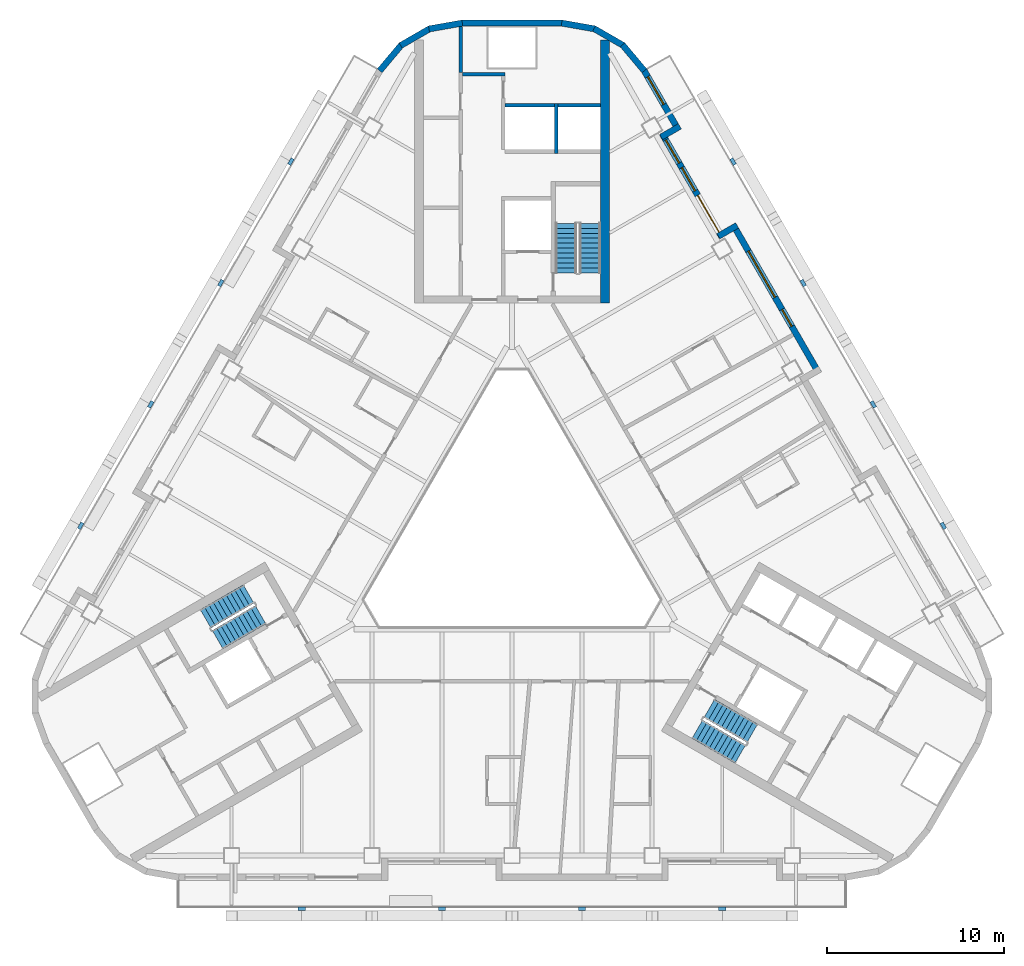
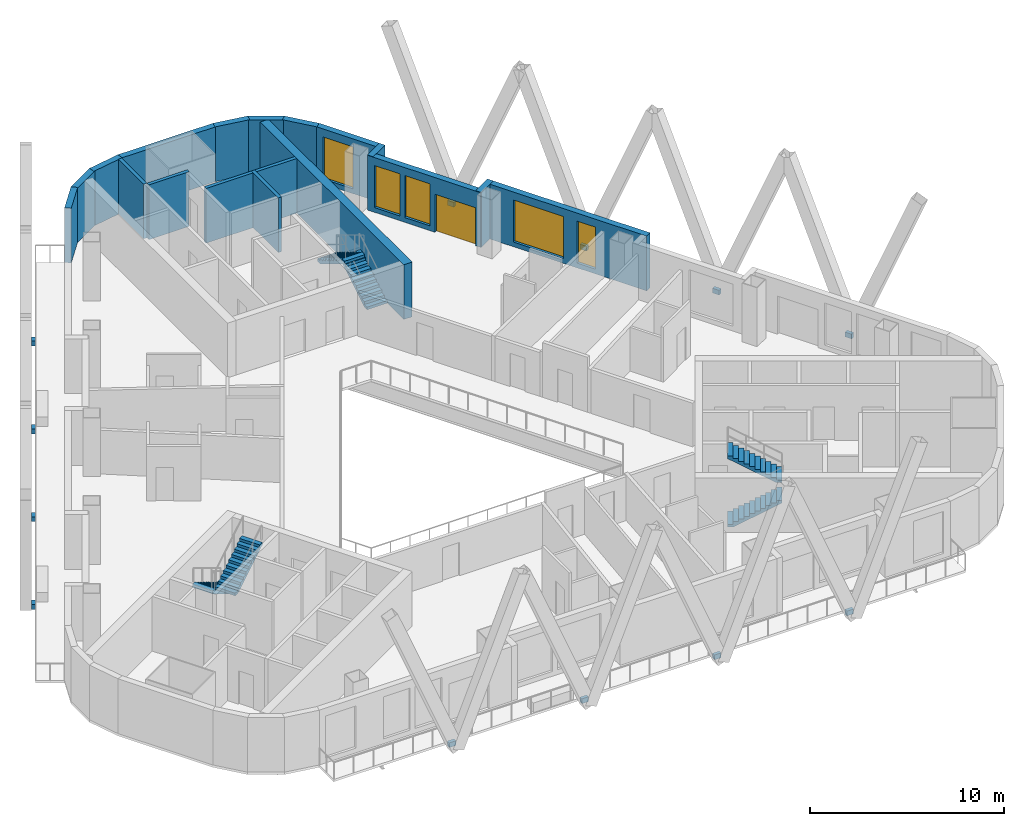
# One storey, part 7 of 13: 18 walls, 12 discrete accessories, 6 stair flights, 5 windows, 1 door, 6 openings, 3 elements without a shape of their own.
"""IFC4 building model written with IfcOpenShell, lengths in metres."""

import ifcopenshell
import ifcopenshell.guid

model = None  # the IFC model being written
_history = None  # IfcOwnerHistory: only IFC2X3 demands one
_inside = {}  # id of a spatial element -> (the spatial element, [elements in it])
_under = {}  # id of a project, library or spatial element -> (it, [spatial elements below it])
_declared = {}  # id of a project -> (the project, [libraries it declares])
_typed = {}  # id of a type object -> (the type object, [elements of that type])
_made_of = {}  # id of a material, layer set ... -> (it, [elements and type objects made of it])


def new_model(schema):
    """Start an empty IFC model of exactly this schema.

    Asked for "IFC4X3", IfcOpenShell would pick the latest addendum, in which some entities
    have other attributes; the version numbers below select the first issue.
    IFC2X3 requires an IfcOwnerHistory on every rooted entity: one is made here for all.
    """
    global model, _history
    if schema == "IFC4X3":
        model = ifcopenshell.file(schema_version=(4, 3, 0, 0))
    else:
        model = ifcopenshell.file(schema=schema)
    _inside.clear()
    _under.clear()
    _declared.clear()
    _typed.clear()
    _made_of.clear()
    _history = None
    if model.schema == "IFC2X3":
        org = make("IfcOrganization", Name="unknown")
        user = make(
            "IfcPersonAndOrganization",
            ThePerson=make("IfcPerson", FamilyName="unknown"),
            TheOrganization=org,
        )
        app = make(
            "IfcApplication",
            ApplicationDeveloper=org,
            Version="unknown",
            ApplicationFullName="unknown",
            ApplicationIdentifier="unknown",
        )
        _history = make(
            "IfcOwnerHistory",
            OwningUser=user,
            OwningApplication=app,
            ChangeAction="ADDED",
            CreationDate=0,
        )
    return model


def make(cls, **values):
    """One entity of the class cls with the attributes given. An attribute that is None is left unset."""
    return model.create_entity(
        cls, **{name: value for name, value in values.items() if value is not None}
    )


def rooted(cls, **values):
    """An entity with a GlobalId (a new one), such as an element, a storey or a relation."""
    return make(cls, GlobalId=ifcopenshell.guid.new(), OwnerHistory=_history, **values)


def si_unit(unit_type, name, prefix=None):
    """IfcSIUnit, for example si_unit("LENGTHUNIT", "METRE", prefix="MILLI")."""
    return make("IfcSIUnit", UnitType=unit_type, Prefix=prefix, Name=name)


def assignment(units):
    """IfcUnitAssignment: the units of a project."""
    return None if units is None else make("IfcUnitAssignment", Units=units)


def point(xyz):
    """IfcCartesianPoint."""
    return None if xyz is None else make("IfcCartesianPoint", Coordinates=xyz)


def direction(xyz):
    """IfcDirection."""
    return None if xyz is None else make("IfcDirection", DirectionRatios=xyz)


def frame(location, z_axis=None, x_axis=None):
    """IfcAxis2Placement3D, a coordinate frame: its origin and axes. An axis left out is left unset."""
    return make(
        "IfcAxis2Placement3D",
        Location=point(location),
        Axis=direction(z_axis),
        RefDirection=direction(x_axis),
    )


def frame_2d(location, x_axis=None):
    """IfcAxis2Placement2D, a coordinate frame in the plane: its origin and x axis."""
    return make(
        "IfcAxis2Placement2D", Location=point(location), RefDirection=direction(x_axis)
    )


def origin():
    """The frame at (0, 0, 0) with its axes left unset."""
    return frame((0.0, 0.0, 0.0))


def origin_2d():
    """The frame at (0, 0) in the plane with its x axis left unset."""
    return frame_2d((0.0, 0.0))


def place(relative_to, where):
    """IfcLocalPlacement: puts the frame where relative to a parent placement (None: the world)."""
    return make(
        "IfcLocalPlacement", PlacementRelTo=relative_to, RelativePlacement=where
    )


def context(
    kind, dimensions, precision=None, world=None, true_north=None, identifier=None
):
    """IfcGeometricRepresentationContext, for example the 3D "Model" context."""
    return make(
        "IfcGeometricRepresentationContext",
        ContextIdentifier=identifier,
        ContextType=kind,
        CoordinateSpaceDimension=dimensions,
        Precision=precision,
        WorldCoordinateSystem=world,
        TrueNorth=true_north,
    )


def subcontext(parent, identifier, kind, view, scale=None):
    """IfcGeometricRepresentationSubContext, for example "Body" below "Model"."""
    return make(
        "IfcGeometricRepresentationSubContext",
        ContextIdentifier=identifier,
        ContextType=kind,
        ParentContext=parent,
        TargetScale=scale,
        TargetView=view,
    )


def project(units=None, contexts=None):
    """IfcProject with its units and contexts."""
    return rooted(
        "IfcProject",
        Name="project",
        RepresentationContexts=contexts,
        UnitsInContext=assignment(units),
    )


def spatial(cls, under=None, at=None, **own):
    """A site, building, storey or space (cls), placed at a placement, below another one or the project."""
    s = rooted(cls, ObjectPlacement=at, **own)
    if under is not None:
        _under.setdefault(under.id(), (under, []))[1].append(s)
    return s


def polyline(points):
    """IfcPolyline through the points."""
    return make("IfcPolyline", Points=[point(p) for p in points])


def profile(cls, at=None, kind="AREA", **sizes):
    """A parametric profile (cls). Its sizes go by their IFC names, for example OverallWidth=200.0."""
    return make(cls, ProfileType=kind, Position=at, **sizes)


def rectangle(**sizes):
    """IfcRectangleProfileDef."""
    return profile("IfcRectangleProfileDef", **sizes)


def outline(outer, holes=None, kind="AREA"):
    """IfcArbitraryClosedProfileDef: a profile drawn as a closed curve; with holes, ...WithVoids."""
    if holes is None:
        return make("IfcArbitraryClosedProfileDef", ProfileType=kind, OuterCurve=outer)
    return make(
        "IfcArbitraryProfileDefWithVoids",
        ProfileType=kind,
        OuterCurve=outer,
        InnerCurves=holes,
    )


def extrude(swept, where, along, depth):
    """IfcExtrudedAreaSolid: the profile swept, set in the frame where, extruded along a direction by depth."""
    return make(
        "IfcExtrudedAreaSolid",
        SweptArea=swept,
        Position=where,
        ExtrudedDirection=direction(along),
        Depth=depth,
    )


def shape(context_of_items, identifier, shape_type, items):
    """IfcShapeRepresentation: the items that make up one representation, for example the "Body"."""
    return make(
        "IfcShapeRepresentation",
        ContextOfItems=context_of_items,
        RepresentationIdentifier=identifier,
        RepresentationType=shape_type,
        Items=items,
    )


def material(Name=None, Category=None):
    """IfcMaterial."""
    return make("IfcMaterial", Name=Name, Category=Category)


def layer(
    of_material, thickness, ventilated=None, Name=None, Category=None, Priority=None
):
    """IfcMaterialLayer: one layer of a wall or slab, of a material (None: an air gap)."""
    return make(
        "IfcMaterialLayer",
        Material=of_material,
        LayerThickness=thickness,
        IsVentilated=ventilated,
        Name=Name,
        Category=Category,
        Priority=Priority,
    )


def layer_set(layers, Name=None):
    """IfcMaterialLayerSet."""
    return make("IfcMaterialLayerSet", MaterialLayers=layers, LayerSetName=Name)


def made_of(thing, what):
    """Note that an element or type object is made of a material, layer set ...; save() writes the relation."""
    if what is not None:
        _made_of.setdefault(what.id(), (what, []))[1].append(thing)
    return thing


def type_object(cls, material=None, **own):
    """A type object (cls), such as IfcWallType, which elements share."""
    return made_of(rooted(cls, **own), material)


def element(
    cls,
    number,
    at=None,
    inside=None,
    cuts=None,
    type_object=None,
    material=None,
    context=None,
    identifier="Body",
    shape_type=None,
    held_by="IfcProductDefinitionShape",
    body=None,
    shapes=None,
    **own,
):
    """One element of the class cls, such as IfcWall. Its Tag is "e" and its number.

    at: its placement. inside: the storey or other place that contains it. cuts: it is an
    opening in that element (IfcRelVoidsElement). A single representation is given by context,
    identifier, shape_type and body (its items); several are given by shapes. held_by: the class
    of the entity that holds the representations. save() writes the other relations.
    """
    e = rooted(cls, Tag="e%d" % number, ObjectPlacement=at, **own)
    if body is not None:
        shapes = [shape(context, identifier, shape_type, body)]
    if shapes is not None:
        e.Representation = make(held_by, Representations=shapes)
    if inside is not None:
        _inside.setdefault(inside.id(), (inside, []))[1].append(e)
    if cuts is not None:
        rooted(
            "IfcRelVoidsElement", RelatingBuildingElement=cuts, RelatedOpeningElement=e
        )
    if type_object is not None:
        _typed.setdefault(type_object.id(), (type_object, []))[1].append(e)
    return made_of(e, material)


def fill(opening, filler):
    """IfcRelFillsElement: the door or window that sits in an opening."""
    return rooted(
        "IfcRelFillsElement",
        RelatingOpeningElement=opening,
        RelatedBuildingElement=filler,
    )


def aggregate(whole, parts):
    """IfcRelAggregates: a whole, such as a stair, and the parts it consists of."""
    return rooted("IfcRelAggregates", RelatingObject=whole, RelatedObjects=parts)


def save(model, path):
    """Write the relations noted so far, then the file.

    IfcRelAggregates (storeys below a building ...), IfcRelContainedInSpatialStructure (elements
    in a storey), IfcRelDefinesByType, IfcRelAssociatesMaterial and IfcRelDeclares: one each for
    every whole, place, type object, material and project.
    """
    for whole, parts in _under.values():
        aggregate(whole, parts)
    for where, things in _inside.values():
        rooted(
            "IfcRelContainedInSpatialStructure",
            RelatedElements=things,
            RelatingStructure=where,
        )
    for kind, things in _typed.values():
        rooted("IfcRelDefinesByType", RelatedObjects=things, RelatingType=kind)
    for what, things in _made_of.values():
        rooted("IfcRelAssociatesMaterial", RelatedObjects=things, RelatingMaterial=what)
    for by, libraries in _declared.values():
        rooted("IfcRelDeclares", RelatingContext=by, RelatedDefinitions=libraries)
    model.write(path)


model = new_model("IFC4")

# Units and contexts
model_context = context("Model", 3, precision=1e-05, world=origin(), true_north=direction((0.0, 1.0)))
body_context = subcontext(model_context, "Body", "Model", "MODEL_VIEW")
ifc_project = project(units=[si_unit("LENGTHUNIT", "METRE"), si_unit("AREAUNIT", "SQUARE_METRE"), si_unit("VOLUMEUNIT", "CUBIC_METRE"), si_unit("PLANEANGLEUNIT", "RADIAN"), si_unit("MASSUNIT", "GRAM", prefix="KILO")], contexts=[model_context])

# Site, building, storey
site_placement = place(None, origin())
site = spatial("IfcSite", under=ifc_project, at=site_placement, CompositionType="ELEMENT")
building_placement = place(site_placement, origin())
building = spatial("IfcBuilding", under=site, at=building_placement, Name="Apuvela Tower Hotel", CompositionType="ELEMENT")
storey_placement = place(building_placement, frame((0.0, 0.0, 127.89990234375)))
storey = spatial("IfcBuildingStorey", under=building, at=storey_placement, Name="L30", CompositionType="ELEMENT", Elevation=127.89990234375)

# Walls
ifc_material_1 = material(Name="Concrete C50/60", Category="concrete")
ifc_layer_1 = layer(ifc_material_1, 0.5)
ifc_layer_set_1 = layer_set([ifc_layer_1], Name="COR-WALL-CORE-500")
wall_type_1 = type_object("IfcWallType", Name="COR-WALL-CORE-500", PredefinedType="SHEAR", material=ifc_layer_set_1)
wall_1_placement = place(storey_placement, frame((5.25, 12.89990234375, 0.0), z_axis=(0.0, 0.0, 1.0), x_axis=(0.0, 1.0, 0.0)))
element("IfcWall", 1, at=wall_1_placement, inside=storey, type_object=wall_type_1, Name="Core wall N", PredefinedType="SHEAR", context=body_context, shape_type="SweptSolid", body=[
    extrude(rectangle(XDim=14.8369140625, YDim=0.5, at=frame_2d((7.41845703125, 0.0))), origin(), (0.0, 0.0, 1.0), 3.4501953125),
])
ifc_layer_2 = layer(ifc_material_1, 0.199951171875)
ifc_layer_set_2 = layer_set([ifc_layer_2], Name="COR-WALL-SHAFT-200")
wall_type_2 = type_object("IfcWallType", Name="COR-WALL-SHAFT-200", PredefinedType="SHEAR", material=ifc_layer_set_2)
wall_2_placement = place(storey_placement, frame((-0.39990234375, 25.800048828125, 0.0), z_axis=(0.0, 0.0, 1.0), x_axis=(-1.0, 0.0, 0.0)))
element("IfcWall", 2, at=wall_2_placement, inside=storey, type_object=wall_type_2, Name="Shaft wall N", PredefinedType="SHEAR", context=body_context, shape_type="SweptSolid", body=[
    extrude(rectangle(XDim=2.400146484375, YDim=0.199951171875, at=frame_2d((1.2001953125, 0.0))), origin(), (0.0, 0.0, 1.0), 3.4501953125),
])
wall_3_placement = place(storey_placement, frame((-2.89990234375, 25.89990234375, 0.0), z_axis=(0.0, 0.0, 1.0), x_axis=(0.0, 1.0, 0.0)))
element("IfcWall", 3, at=wall_3_placement, inside=storey, type_object=wall_type_2, Name="Shaft wall N", PredefinedType="SHEAR", context=body_context, shape_type="SweptSolid", body=[
    extrude(rectangle(XDim=2.60009765625, YDim=0.199951171875, at=frame_2d((1.300048828125, 0.0))), origin(), (0.0, 0.0, 1.0), 3.4501953125),
])
wall_4_placement = place(storey_placement, frame((2.5, 21.35009765625, 0.0), z_axis=(0.0, 0.0, 1.0), x_axis=(0.0, 1.0, 0.0)))
element("IfcWall", 4, at=wall_4_placement, inside=storey, type_object=wall_type_2, Name="Shaft wall N", PredefinedType="SHEAR", context=body_context, shape_type="SweptSolid", body=[
    extrude(rectangle(XDim=2.7998046875, YDim=0.199951171875, at=frame_2d((1.39990234375, 0.0))), origin(), (0.0, 0.0, 1.0), 3.4501953125),
])
wall_5_placement = place(storey_placement, frame((5.0, 24.050048828125, 0.0), z_axis=(0.0, 0.0, 1.0), x_axis=(-1.0, 0.0, 0.0)))
element("IfcWall", 5, at=wall_5_placement, inside=storey, type_object=wall_type_2, Name="Shaft wall N", PredefinedType="SHEAR", context=body_context, shape_type="SweptSolid", body=[
    extrude(rectangle(XDim=2.39990234375, YDim=0.199951171875, at=frame_2d((1.199951171875, 0.0))), origin(), (0.0, 0.0, 1.0), 3.4501953125),
])
wall_6_placement = place(storey_placement, frame((2.39990234375, 24.050048828125, 0.0), z_axis=(0.0, 0.0, 1.0), x_axis=(-1.0, 0.0, 0.0)))
element("IfcWall", 6, at=wall_6_placement, inside=storey, type_object=wall_type_2, Name="Shaft wall N", PredefinedType="SHEAR", context=body_context, shape_type="SweptSolid", body=[
    extrude(rectangle(XDim=2.7998046875, YDim=0.199951171875, at=frame_2d((1.39990234375, 0.0))), origin(), (0.0, 0.0, 1.0), 3.4501953125),
])

# Wall, openings, windows
ifc_material_2 = material(Name="Concrete C40/50, dark pigmented precast panel", Category="concrete")
ifc_layer_3 = layer(ifc_material_2, 0.35009765625)
ifc_layer_set_3 = layer_set([ifc_layer_3], Name="ENV-WALL-350")
wall_type_3 = type_object("IfcWallType", Name="ENV-WALL-350", PredefinedType="SOLIDWALL", material=ifc_layer_set_3)
wall_7_placement = place(storey_placement, frame((17.298583984375, 8.947998046875, 0.0), z_axis=(0.0, 0.0, 1.0), x_axis=(-0.500010041276, 0.866019606374, 0.0)))
wall_7 = element("IfcWall", 7, at=wall_7_placement, inside=storey, type_object=wall_type_3, Name="External wall L30-37", PredefinedType="SOLIDWALL", context=body_context, shape_type="SweptSolid", body=[
    extrude(rectangle(XDim=9.699951171875, YDim=0.35009765625, at=frame_2d((4.85009765625, 0.0))), origin(), (0.0, 0.0, 1.0), 3.4501953125),
])
opening_1_placement = place(wall_7_placement, frame((3.0595703125, 0.0, 0.300048828125)))
opening_1 = element("IfcOpeningElement", 8, at=opening_1_placement, cuts=wall_7, Name="Opening WN11", PredefinedType="OPENING", context=body_context, shape_type="SweptSolid", body=[
    extrude(rectangle(XDim=1.10009765625, YDim=2.64990234375, at=frame_2d((0.550048828125, 1.324951171875))), frame((0.0, 0.18505859375, 0.0), z_axis=(0.0, -1.0, 0.0), x_axis=(1.0, 0.0, 0.0)), (0.0, 0.0, 1.0), 0.3701171875),
])
opening_2_placement = place(wall_7_placement, frame((4.94921875, 0.0, 0.300048828125)))
opening_2 = element("IfcOpeningElement", 9, at=opening_2_placement, cuts=wall_7, Name="Opening WN30", PredefinedType="OPENING", context=body_context, shape_type="SweptSolid", body=[
    extrude(rectangle(XDim=3.0, YDim=2.64990234375, at=frame_2d((1.5, 1.324951171875))), frame((0.0, 0.18505859375, 0.0), z_axis=(0.0, -1.0, 0.0), x_axis=(1.0, 0.0, 0.0)), (0.0, 0.0, 1.0), 0.3701171875),
])
ifc_material_3 = material(Name="Glass, dark tinted laminated insulated glazing unit", Category="glass")
window_type_1 = type_object("IfcWindowType", Name="ENV-WIN-1100x2650", PartitioningType="SINGLE_PANEL", PredefinedType="WINDOW", material=ifc_material_3)
window_1_placement = place(opening_1_placement, origin())
window_1 = element("IfcWindow", 10, at=window_1_placement, inside=storey, type_object=window_type_1, Name="Window WN11", OverallHeight=2.64990234375, OverallWidth=1.10009765625, PartitioningType="SINGLE_PANEL", PredefinedType="WINDOW", context=body_context, shape_type="SweptSolid", body=[
    extrude(rectangle(XDim=1.10009765625, YDim=2.64990234375, at=frame_2d((0.550048828125, 1.324951171875))), frame((0.0, 0.030029296875, 0.0), z_axis=(0.0, -1.0, 0.0), x_axis=(1.0, 0.0, 0.0)), (0.0, 0.0, 1.0), 0.06005859375),
])
fill(opening_1, window_1)
window_type_2 = type_object("IfcWindowType", Name="ENV-WIN-3000x2650", PartitioningType="SINGLE_PANEL", PredefinedType="WINDOW", material=ifc_material_3)
window_2_placement = place(opening_2_placement, origin())
window_2 = element("IfcWindow", 11, at=window_2_placement, inside=storey, type_object=window_type_2, Name="Window WN30", OverallHeight=2.64990234375, OverallWidth=3.0, PartitioningType="SINGLE_PANEL", PredefinedType="WINDOW", context=body_context, shape_type="SweptSolid", body=[
    extrude(rectangle(XDim=3.0, YDim=2.64990234375, at=frame_2d((1.5, 1.324951171875))), frame((0.0, 0.030029296875, 0.0), z_axis=(0.0, -1.0, 0.0), x_axis=(1.0, 0.0, 0.0)), (0.0, 0.0, 1.0), 0.06005859375),
])
fill(opening_2, window_2)

# Wall
wall_8_placement = place(storey_placement, frame((12.6875, 17.284423828125, 0.0), z_axis=(0.0, 0.0, 1.0), x_axis=(-0.865955602162, -0.500120880472, 0.0)))
element("IfcWall", 12, at=wall_8_placement, inside=storey, type_object=wall_type_3, Name="External wall L30-38", PredefinedType="SOLIDWALL", context=body_context, shape_type="SweptSolid", body=[
    extrude(rectangle(XDim=1.219970703125, YDim=0.35009765625, at=frame_2d((0.60986328125, 0.0))), origin(), (0.0, 0.0, 1.0), 3.4501953125),
])

# Wall, openings, door, windows
wall_9_placement = place(storey_placement, frame((11.8291015625, 16.621337890625, 0.0), z_axis=(0.0, 0.0, 1.0), x_axis=(-0.500003597184, 0.866023326939, 0.0)))
wall_9 = element("IfcWall", 13, at=wall_9_placement, inside=storey, type_object=wall_type_3, Name="External wall L30-39", PredefinedType="SOLIDWALL", context=body_context, shape_type="SweptSolid", body=[
    extrude(rectangle(XDim=6.740234375, YDim=0.35009765625, at=frame_2d((3.3701171875, 0.0))), origin(), (0.0, 0.0, 1.0), 3.4501953125),
])
opening_3_placement = place(wall_9_placement, frame((0.320068359375, 0.0, 0.0)))
opening_3 = element("IfcOpeningElement", 14, at=opening_3_placement, cuts=wall_9, Name="Opening BD24", PredefinedType="OPENING", context=body_context, shape_type="SweptSolid", body=[
    extrude(rectangle(XDim=2.39990234375, YDim=2.39990234375, at=frame_2d((1.199951171875, 1.199951171875))), frame((0.0, 0.18505859375, 0.0), z_axis=(0.0, -1.0, 0.0), x_axis=(1.0, 0.0, 0.0)), (0.0, 0.0, 1.0), 0.3701171875),
])
opening_4_placement = place(wall_9_placement, frame((3.02001953125, 0.0, 0.300048828125)))
opening_4 = element("IfcOpeningElement", 15, at=opening_4_placement, cuts=wall_9, Name="Opening WN15", PredefinedType="OPENING", context=body_context, shape_type="SweptSolid", body=[
    extrude(rectangle(XDim=1.5, YDim=2.64990234375, at=frame_2d((0.75, 1.324951171875))), frame((0.0, 0.18505859375, 0.0), z_axis=(0.0, -1.0, 0.0), x_axis=(1.0, 0.0, 0.0)), (0.0, 0.0, 1.0), 0.3701171875),
])
opening_5_placement = place(wall_9_placement, frame((4.820068359375, 0.0, 0.300048828125)))
opening_5 = element("IfcOpeningElement", 16, at=opening_5_placement, cuts=wall_9, Name="Opening WN15", PredefinedType="OPENING", context=body_context, shape_type="SweptSolid", body=[
    extrude(rectangle(XDim=1.5, YDim=2.64990234375, at=frame_2d((0.75, 1.324951171875))), frame((0.0, 0.18505859375, 0.0), z_axis=(0.0, -1.0, 0.0), x_axis=(1.0, 0.0, 0.0)), (0.0, 0.0, 1.0), 0.3701171875),
])
ifc_material_4 = material(Name="Aluminium 6063-T6, dark bronze anodised frame with dark tinted laminated glass", Category="aluminium")
door_type = type_object("IfcDoorType", Name="ENV-DOOR-BALCONY-2400x2400", OperationType="SLIDING_TO_LEFT", PredefinedType="DOOR", material=ifc_material_4)
door_placement = place(opening_3_placement, frame((2.39990234375, 0.0, 0.0), z_axis=(0.0, 0.0, 1.0), x_axis=(-1.0, 0.0, 0.0)))
door = element("IfcDoor", 17, at=door_placement, inside=storey, type_object=door_type, Name="Balcony door BD24", OperationType="SLIDING_TO_LEFT", OverallHeight=2.39990234375, OverallWidth=2.39990234375, PredefinedType="DOOR", context=body_context, shape_type="SweptSolid", body=[
    extrude(rectangle(XDim=2.39990234375, YDim=2.39990234375, at=frame_2d((1.199951171875, 1.199951171875))), frame((0.0, 0.02490234375, 0.0), z_axis=(0.0, -1.0, 0.0), x_axis=(1.0, 0.0, 0.0)), (0.0, 0.0, 1.0), 0.050048828125),
])
fill(opening_3, door)
window_type_3 = type_object("IfcWindowType", Name="ENV-WIN-1500x2650", PartitioningType="SINGLE_PANEL", PredefinedType="WINDOW", material=ifc_material_3)
window_3_placement = place(opening_4_placement, origin())
window_3 = element("IfcWindow", 18, at=window_3_placement, inside=storey, type_object=window_type_3, Name="Window WN15", OverallHeight=2.64990234375, OverallWidth=1.5, PartitioningType="SINGLE_PANEL", PredefinedType="WINDOW", context=body_context, shape_type="SweptSolid", body=[
    extrude(rectangle(XDim=1.5, YDim=2.64990234375, at=frame_2d((0.75, 1.324951171875))), frame((0.0, 0.030029296875, 0.0), z_axis=(0.0, -1.0, 0.0), x_axis=(1.0, 0.0, 0.0)), (0.0, 0.0, 1.0), 0.06005859375),
])
fill(opening_4, window_3)
window_4_placement = place(opening_5_placement, origin())
window_4 = element("IfcWindow", 19, at=window_4_placement, inside=storey, type_object=window_type_3, Name="Window WN15", OverallHeight=2.64990234375, OverallWidth=1.5, PartitioningType="SINGLE_PANEL", PredefinedType="WINDOW", context=body_context, shape_type="SweptSolid", body=[
    extrude(rectangle(XDim=1.5, YDim=2.64990234375, at=frame_2d((0.75, 1.324951171875))), frame((0.0, 0.030029296875, 0.0), z_axis=(0.0, -1.0, 0.0), x_axis=(1.0, 0.0, 0.0)), (0.0, 0.0, 1.0), 0.06005859375),
])
fill(opening_5, window_4)

# Wall
wall_10_placement = place(storey_placement, frame((8.406005859375, 22.26025390625, 0.0), z_axis=(0.0, 0.0, 1.0), x_axis=(0.865955602162, 0.500120880472, 0.0)))
element("IfcWall", 20, at=wall_10_placement, inside=storey, type_object=wall_type_3, Name="External wall L30-40", PredefinedType="SOLIDWALL", context=body_context, shape_type="SweptSolid", body=[
    extrude(rectangle(XDim=1.219970703125, YDim=0.35009765625, at=frame_2d((0.60986328125, 0.0))), origin(), (0.0, 0.0, 1.0), 3.4501953125),
])

# Wall, opening, window
wall_11_placement = place(storey_placement, frame((9.3984375, 22.631103515625, 0.0), z_axis=(0.0, 0.0, 1.0), x_axis=(-0.499954521343, 0.866051659307, 0.0)))
wall_11 = element("IfcWall", 21, at=wall_11_placement, inside=storey, type_object=wall_type_3, Name="External wall L30-41", PredefinedType="SOLIDWALL", context=body_context, shape_type="SweptSolid", body=[
    extrude(rectangle(XDim=3.915771484375, YDim=0.35009765625, at=frame_2d((1.9580078125, 0.0))), origin(), (0.0, 0.0, 1.0), 3.4501953125),
])
opening_6_placement = place(wall_11_placement, frame((1.69970703125, 0.0, 0.300048828125)))
opening_6 = element("IfcOpeningElement", 22, at=opening_6_placement, cuts=wall_11, Name="Opening WN18", PredefinedType="OPENING", context=body_context, shape_type="SweptSolid", body=[
    extrude(rectangle(XDim=1.800048828125, YDim=2.64990234375, at=frame_2d((0.89990234375, 1.324951171875))), frame((0.0, 0.18505859375, 0.0), z_axis=(0.0, -1.0, 0.0), x_axis=(1.0, 0.0, 0.0)), (0.0, 0.0, 1.0), 0.3701171875),
])
window_type_4 = type_object("IfcWindowType", Name="ENV-WIN-1800x2650", PartitioningType="SINGLE_PANEL", PredefinedType="WINDOW", material=ifc_material_3)
window_5_placement = place(opening_6_placement, origin())
window_5 = element("IfcWindow", 23, at=window_5_placement, inside=storey, type_object=window_type_4, Name="Window WN18", OverallHeight=2.64990234375, OverallWidth=1.800048828125, PartitioningType="SINGLE_PANEL", PredefinedType="WINDOW", context=body_context, shape_type="SweptSolid", body=[
    extrude(rectangle(XDim=1.800048828125, YDim=2.64990234375, at=frame_2d((0.89990234375, 1.324951171875))), frame((0.0, 0.030029296875, 0.0), z_axis=(0.0, -1.0, 0.0), x_axis=(1.0, 0.0, 0.0)), (0.0, 0.0, 1.0), 0.06005859375),
])
fill(opening_6, window_5)

# Walls
wall_12_placement = place(storey_placement, frame((7.4580078125, 25.99755859375, 0.0), z_axis=(0.0, 0.0, 1.0), x_axis=(-0.642808304945, 0.766027077259, 0.0)))
element("IfcWall", 24, at=wall_12_placement, inside=storey, type_object=wall_type_3, Name="External wall L30-42", PredefinedType="SOLIDWALL", context=body_context, shape_type="SweptSolid", body=[
    extrude(rectangle(XDim=1.909912109375, YDim=0.35009765625, at=frame_2d((0.955078125, 0.0))), origin(), (0.0, 0.0, 1.0), 3.4501953125),
])
for number, where, z_axis, x_axis, name in (
    (25, (6.27685546875, 27.421630859375, 0.0), (0.0, 0.0, 1.0), (-0.866032345022, 0.499987977232, 0.0), "External wall L30-43"),
    (26, (4.6796875, 28.35595703125, 0.0), (0.0, 0.0, 1.0), (-0.984798995425, 0.173697837091, 0.0), "External wall L30-44"),
):
    element("IfcWall", number, at=place(storey_placement, frame(where, z_axis=z_axis, x_axis=x_axis)), inside=storey, type_object=wall_type_3, Name=name, PredefinedType="SOLIDWALL", context=body_context, shape_type="SweptSolid", body=[
        extrude(rectangle(XDim=1.91015625, YDim=0.35009765625, at=frame_2d((0.955078125, 0.0))), origin(), (0.0, 0.0, 1.0), 3.4501953125),
    ])
wall_13_placement = place(storey_placement, frame((2.8291015625, 28.68505859375, 0.0), z_axis=(0.0, 0.0, 1.0), x_axis=(-1.0, 0.0, 0.0)))
element("IfcWall", 27, at=wall_13_placement, inside=storey, type_object=wall_type_3, Name="External wall L30-45", PredefinedType="SOLIDWALL", context=body_context, shape_type="SweptSolid", body=[
    extrude(rectangle(XDim=5.658203125, YDim=0.35009765625, at=frame_2d((2.8291015625, 0.0))), origin(), (0.0, 0.0, 1.0), 3.4501953125),
])
for number, where, z_axis, x_axis, name in (
    (28, (-2.798583984375, 28.687744140625, 0.0), (0.0, 0.0, 1.0), (-0.984798995425, -0.173697837091, 0.0), "External wall L30-46"),
    (29, (-4.62255859375, 28.376708984375, 0.0), (0.0, 0.0, 1.0), (-0.866032345022, -0.499987977232, 0.0), "External wall L30-47"),
):
    element("IfcWall", number, at=place(storey_placement, frame(where, z_axis=z_axis, x_axis=x_axis)), inside=storey, type_object=wall_type_3, Name=name, PredefinedType="SOLIDWALL", context=body_context, shape_type="SweptSolid", body=[
        extrude(rectangle(XDim=1.91015625, YDim=0.35009765625, at=frame_2d((0.955078125, 0.0))), origin(), (0.0, 0.0, 1.0), 3.4501953125),
    ])
wall_14_placement = place(storey_placement, frame((-6.230224609375, 27.460693359375, 0.0), z_axis=(0.0, 0.0, 1.0), x_axis=(-0.642808304945, -0.766027077259, 0.0)))
element("IfcWall", 30, at=wall_14_placement, inside=storey, type_object=wall_type_3, Name="External wall L30-48", PredefinedType="SOLIDWALL", context=body_context, shape_type="SweptSolid", body=[
    extrude(rectangle(XDim=1.909912109375, YDim=0.35009765625, at=frame_2d((0.955078125, 0.0))), origin(), (0.0, 0.0, 1.0), 3.4501953125),
])

# Stair, stair flights
stair_type = type_object("IfcStairType", Name="COR-STAIR-22R", PredefinedType="HALF_TURN_STAIR", material=ifc_material_1)
stair_1_placement = place(storey_placement, origin())
stair_1 = element("IfcStair", 31, at=stair_1_placement, inside=storey, type_object=stair_type, Name="L30 Exit stair ST1", PredefinedType="HALF_TURN_STAIR")
stair_flight_type = type_object("IfcStairFlightType", Name="COR-FLIGHT-11R", PredefinedType="STRAIGHT", material=ifc_material_1)
stair_flight_1_placement = place(storey_placement, frame((4.39990234375, 14.60009765625, 0.0), z_axis=(0.0, 0.0, 1.0), x_axis=(0.0, 1.0, 0.0)))
stair_flight_1 = element("IfcStairFlight", 32, at=stair_flight_1_placement, type_object=stair_flight_type, Name="ST1 flight 1", NumberOfRisers=11, NumberOfTreads=10, PredefinedType="STRAIGHT", RiserHeight=0.168181818, TreadLength=0.28, context=body_context, shape_type="SweptSolid", body=[
    extrude(outline(polyline([(0.0, 0.0), (0.0, 0.168212890625), (0.280029296875, 0.168212890625), (0.280029296875, 0.33642578125), (0.56005859375, 0.33642578125), (0.56005859375, 0.504638671875), (0.840087890625, 0.504638671875), (0.840087890625, 0.672607421875), (1.1201171875, 0.672607421875), (1.1201171875, 0.8408203125), (1.39990234375, 0.8408203125), (1.39990234375, 1.009033203125), (1.679931640625, 1.009033203125), (1.679931640625, 1.17724609375), (1.9599609375, 1.17724609375), (1.9599609375, 1.345458984375), (2.239990234375, 1.345458984375), (2.239990234375, 1.513671875), (2.52001953125, 1.513671875), (2.52001953125, 1.681884765625), (2.800048828125, 1.681884765625), (2.800048828125, 1.85009765625), (2.800048828125, 1.5068359375), (0.291015625, 0.0), (0.0, 0.0)])), frame((0.0, 0.60009765625, 0.0), z_axis=(0.0, -1.0, 0.0), x_axis=(1.0, 0.0, 0.0)), (0.0, 0.0, 1.0), 1.199951171875),
])
stair_flight_2_placement = place(storey_placement, frame((3.050048828125, 17.39990234375, 1.85009765625), z_axis=(0.0, 0.0, 1.0), x_axis=(0.0, -1.0, 0.0)))
stair_flight_2 = element("IfcStairFlight", 33, at=stair_flight_2_placement, type_object=stair_flight_type, Name="ST1 flight 2", NumberOfRisers=11, NumberOfTreads=10, PredefinedType="STRAIGHT", RiserHeight=0.168181818, TreadLength=0.28, context=body_context, shape_type="SweptSolid", body=[
    extrude(outline(polyline([(0.0, 0.0), (0.0, 0.168212890625), (0.280029296875, 0.168212890625), (0.280029296875, 0.33642578125), (0.56005859375, 0.33642578125), (0.56005859375, 0.504638671875), (0.840087890625, 0.504638671875), (0.840087890625, 0.672607421875), (1.1201171875, 0.672607421875), (1.1201171875, 0.8408203125), (1.39990234375, 0.8408203125), (1.39990234375, 1.009033203125), (1.679931640625, 1.009033203125), (1.679931640625, 1.17724609375), (1.9599609375, 1.17724609375), (1.9599609375, 1.345458984375), (2.239990234375, 1.345458984375), (2.239990234375, 1.513671875), (2.52001953125, 1.513671875), (2.52001953125, 1.681884765625), (2.800048828125, 1.681884765625), (2.800048828125, 1.85009765625), (2.800048828125, 1.5068359375), (0.291015625, 0.0), (0.0, 0.0)])), frame((0.0, 0.60009765625, 0.0), z_axis=(0.0, -1.0, 0.0), x_axis=(1.0, 0.0, 0.0)), (0.0, 0.0, 1.0), 1.199951171875),
])
aggregate(stair_1, [stair_flight_1, stair_flight_2])

stair_2_placement = place(storey_placement, origin())
stair_2 = element("IfcStair", 34, at=stair_2_placement, inside=storey, type_object=stair_type, Name="L30 Exit stair ST2", PredefinedType="HALF_TURN_STAIR")
stair_flight_3_placement = place(storey_placement, frame((-14.843994140625, -3.489501953125, 0.0), z_axis=(0.0, 0.0, 1.0), x_axis=(-0.866025403784, -0.5, 0.0)))
stair_flight_3 = element("IfcStairFlight", 35, at=stair_flight_3_placement, type_object=stair_flight_type, Name="ST2 flight 1", NumberOfRisers=11, NumberOfTreads=10, PredefinedType="STRAIGHT", RiserHeight=0.168181818, TreadLength=0.28, context=body_context, shape_type="SweptSolid", body=[
    extrude(outline(polyline([(0.0, 0.0), (0.0, 0.168212890625), (0.280029296875, 0.168212890625), (0.280029296875, 0.33642578125), (0.56005859375, 0.33642578125), (0.56005859375, 0.504638671875), (0.840087890625, 0.504638671875), (0.840087890625, 0.672607421875), (1.1201171875, 0.672607421875), (1.1201171875, 0.8408203125), (1.39990234375, 0.8408203125), (1.39990234375, 1.009033203125), (1.679931640625, 1.009033203125), (1.679931640625, 1.17724609375), (1.9599609375, 1.17724609375), (1.9599609375, 1.345458984375), (2.239990234375, 1.345458984375), (2.239990234375, 1.513671875), (2.52001953125, 1.513671875), (2.52001953125, 1.681884765625), (2.800048828125, 1.681884765625), (2.800048828125, 1.85009765625), (2.800048828125, 1.5068359375), (0.291015625, 0.0), (0.0, 0.0)])), frame((0.0, 0.60009765625, 0.0), z_axis=(0.0, -1.0, 0.0), x_axis=(1.0, 0.0, 0.0)), (0.0, 0.0, 1.0), 1.199951171875),
])
stair_flight_4_placement = place(storey_placement, frame((-16.59375, -6.05859375, 1.85009765625), z_axis=(0.0, 0.0, 1.0), x_axis=(0.866025403784, 0.5, 0.0)))
stair_flight_4 = element("IfcStairFlight", 36, at=stair_flight_4_placement, type_object=stair_flight_type, Name="ST2 flight 2", NumberOfRisers=11, NumberOfTreads=10, PredefinedType="STRAIGHT", RiserHeight=0.168181818, TreadLength=0.28, context=body_context, shape_type="SweptSolid", body=[
    extrude(outline(polyline([(0.0, 0.0), (0.0, 0.168212890625), (0.280029296875, 0.168212890625), (0.280029296875, 0.33642578125), (0.56005859375, 0.33642578125), (0.56005859375, 0.504638671875), (0.840087890625, 0.504638671875), (0.840087890625, 0.672607421875), (1.1201171875, 0.672607421875), (1.1201171875, 0.8408203125), (1.39990234375, 0.8408203125), (1.39990234375, 1.009033203125), (1.679931640625, 1.009033203125), (1.679931640625, 1.17724609375), (1.9599609375, 1.17724609375), (1.9599609375, 1.345458984375), (2.239990234375, 1.345458984375), (2.239990234375, 1.513671875), (2.52001953125, 1.513671875), (2.52001953125, 1.681884765625), (2.800048828125, 1.681884765625), (2.800048828125, 1.85009765625), (2.800048828125, 1.5068359375), (0.291015625, 0.0), (0.0, 0.0)])), frame((0.0, 0.60009765625, 0.0), z_axis=(0.0, -1.0, 0.0), x_axis=(1.0, 0.0, 0.0)), (0.0, 0.0, 1.0), 1.199951171875),
])
aggregate(stair_2, [stair_flight_3, stair_flight_4])

stair_3_placement = place(storey_placement, origin())
stair_3 = element("IfcStair", 37, at=stair_3_placement, inside=storey, type_object=stair_type, Name="L30 Exit stair ST3", PredefinedType="HALF_TURN_STAIR")
stair_flight_5_placement = place(storey_placement, frame((10.444091796875, -11.110595703125, 0.0), z_axis=(0.0, 0.0, 1.0), x_axis=(0.866025403784, -0.5, 0.0)))
stair_flight_5 = element("IfcStairFlight", 38, at=stair_flight_5_placement, type_object=stair_flight_type, Name="ST3 flight 1", NumberOfRisers=11, NumberOfTreads=10, PredefinedType="STRAIGHT", RiserHeight=0.168181818, TreadLength=0.28, context=body_context, shape_type="SweptSolid", body=[
    extrude(outline(polyline([(0.0, 0.0), (0.0, 0.168212890625), (0.280029296875, 0.168212890625), (0.280029296875, 0.33642578125), (0.56005859375, 0.33642578125), (0.56005859375, 0.504638671875), (0.840087890625, 0.504638671875), (0.840087890625, 0.672607421875), (1.1201171875, 0.672607421875), (1.1201171875, 0.8408203125), (1.39990234375, 0.8408203125), (1.39990234375, 1.009033203125), (1.679931640625, 1.009033203125), (1.679931640625, 1.17724609375), (1.9599609375, 1.17724609375), (1.9599609375, 1.345458984375), (2.239990234375, 1.345458984375), (2.239990234375, 1.513671875), (2.52001953125, 1.513671875), (2.52001953125, 1.681884765625), (2.800048828125, 1.681884765625), (2.800048828125, 1.85009765625), (2.800048828125, 1.5068359375), (0.291015625, 0.0), (0.0, 0.0)])), frame((0.0, 0.60009765625, 0.0), z_axis=(0.0, -1.0, 0.0), x_axis=(1.0, 0.0, 0.0)), (0.0, 0.0, 1.0), 1.199951171875),
])
stair_flight_6_placement = place(storey_placement, frame((13.5439453125, -11.34130859375, 1.85009765625), z_axis=(0.0, 0.0, 1.0), x_axis=(-0.866025403784, 0.5, 0.0)))
stair_flight_6 = element("IfcStairFlight", 39, at=stair_flight_6_placement, type_object=stair_flight_type, Name="ST3 flight 2", NumberOfRisers=11, NumberOfTreads=10, PredefinedType="STRAIGHT", RiserHeight=0.168181818, TreadLength=0.28, context=body_context, shape_type="SweptSolid", body=[
    extrude(outline(polyline([(0.0, 0.0), (0.0, 0.168212890625), (0.280029296875, 0.168212890625), (0.280029296875, 0.33642578125), (0.56005859375, 0.33642578125), (0.56005859375, 0.504638671875), (0.840087890625, 0.504638671875), (0.840087890625, 0.672607421875), (1.1201171875, 0.672607421875), (1.1201171875, 0.8408203125), (1.39990234375, 0.8408203125), (1.39990234375, 1.009033203125), (1.679931640625, 1.009033203125), (1.679931640625, 1.17724609375), (1.9599609375, 1.17724609375), (1.9599609375, 1.345458984375), (2.239990234375, 1.345458984375), (2.239990234375, 1.513671875), (2.52001953125, 1.513671875), (2.52001953125, 1.681884765625), (2.800048828125, 1.681884765625), (2.800048828125, 1.85009765625), (2.800048828125, 1.5068359375), (0.291015625, 0.0), (0.0, 0.0)])), frame((0.0, 0.60009765625, 0.0), z_axis=(0.0, -1.0, 0.0), x_axis=(1.0, 0.0, 0.0)), (0.0, 0.0, 1.0), 1.199951171875),
])
aggregate(stair_3, [stair_flight_5, stair_flight_6])

# Discrete accessories
ifc_material_5 = material(Name="Steel S355, black paint system", Category="steel")
discrete_accessory_type = type_object("IfcDiscreteAccessoryType", Name="ENV-FIN-BRACKET", PredefinedType="BRACKET", material=ifc_material_5)
for number, where, z_axis, x_axis, name in (
    (40, (24.310791015625, 0.3525390625, -0.25), (0.0, 0.0, 1.0), (-0.5, 0.866025403784, 0.0), "Fin bracket NE51"),
    (41, (20.360595703125, 7.194091796875, -0.25), (0.0, 0.0, 1.0), (-0.5, 0.866025403784, 0.0), "Fin bracket NE52"),
    (42, (16.41064453125, 14.035888671875, -0.25), (0.0, 0.0, 1.0), (-0.5, 0.866025403784, 0.0), "Fin bracket NE53"),
    (43, (12.460693359375, 20.87744140625, -0.25), (0.0, 0.0, 1.0), (-0.5, 0.866025403784, 0.0), "Fin bracket NE54"),
    (44, (-12.460693359375, 20.87744140625, -0.25), (0.0, 0.0, 1.0), (-0.5, -0.866025403784, 0.0), "Fin bracket NW200"),
    (45, (-16.41064453125, 14.035888671875, -0.25), (0.0, 0.0, 1.0), (-0.5, -0.866025403784, 0.0), "Fin bracket NW201"),
    (46, (-20.360595703125, 7.194091796875, -0.25), (0.0, 0.0, 1.0), (-0.5, -0.866025403784, 0.0), "Fin bracket NW202"),
    (47, (-24.310791015625, 0.3525390625, -0.25), (0.0, 0.0, 1.0), (-0.5, -0.866025403784, 0.0), "Fin bracket NW203"),
    (48, (-11.85009765625, -21.22998046875, -0.25), (0.0, 0.0, 1.0), (1.0, 0.0, 0.0), "Fin bracket S350"),
    (49, (-3.949951171875, -21.22998046875, -0.25), (0.0, 0.0, 1.0), (1.0, 0.0, 0.0), "Fin bracket S351"),
    (50, (3.949951171875, -21.22998046875, -0.25), (0.0, 0.0, 1.0), (1.0, 0.0, 0.0), "Fin bracket S352"),
    (51, (11.85009765625, -21.22998046875, -0.25), (0.0, 0.0, 1.0), (1.0, 0.0, 0.0), "Fin bracket S353"),
):
    element("IfcDiscreteAccessory", number, at=place(storey_placement, frame(where, z_axis=z_axis, x_axis=x_axis)), inside=storey, type_object=discrete_accessory_type, Name=name, PredefinedType="BRACKET", context=body_context, shape_type="SweptSolid", body=[
        extrude(rectangle(XDim=0.39990234375, YDim=0.199951171875, at=origin_2d()), origin(), (0.0, 0.0, 1.0), 0.300048828125),
    ])

save(model, "model.ifc")
